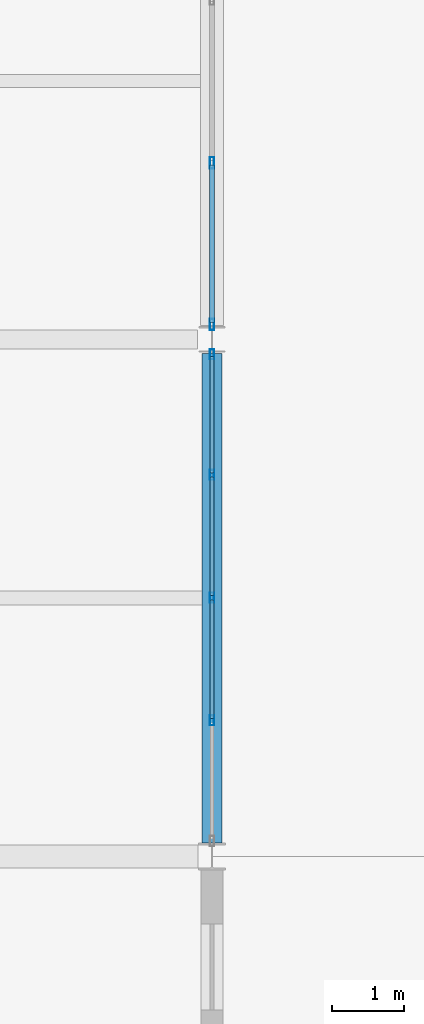
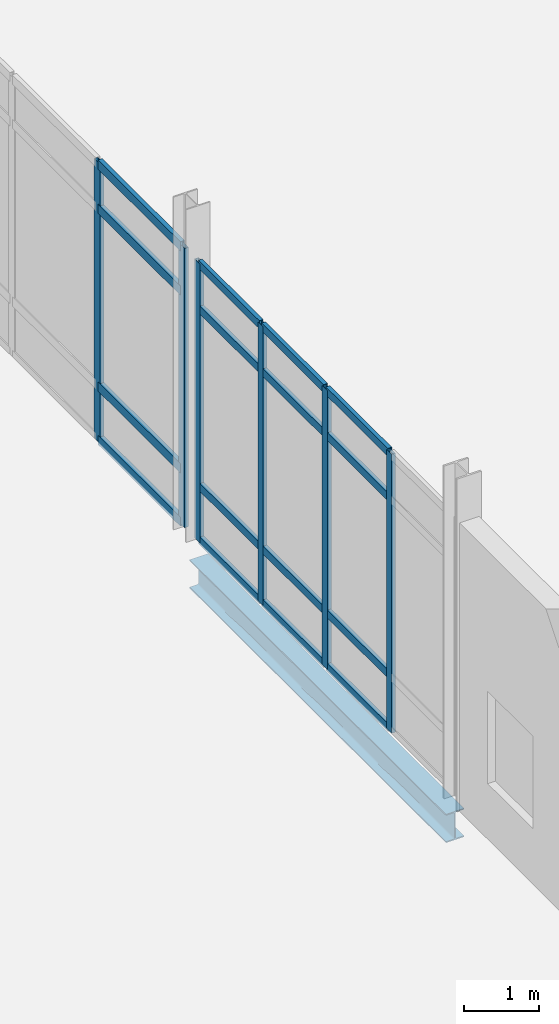
# One storey, part 103 of 229: 22 members, 1 beam, 2 elements without a shape of their own.
"""IFC4 building model written with IfcOpenShell, lengths in metres."""

from ifc_helpers import new_model, si_unit, direction, frame, origin, origin_2d, place, context, subcontext, project, spatial, hollow_rectangle, i_section, extrude, material, layer, layer_set, material_profile, profile_set, type_object, element, aggregate, save


model = new_model("IFC4")

# Units and contexts
model_context = context("Model", 3, precision=1e-05, world=origin(), true_north=direction((0.0, 1.0)))
body_context = subcontext(model_context, "Body", "Model", "MODEL_VIEW")
ifc_project = project(units=[si_unit("LENGTHUNIT", "METRE"), si_unit("AREAUNIT", "SQUARE_METRE"), si_unit("VOLUMEUNIT", "CUBIC_METRE"), si_unit("PLANEANGLEUNIT", "RADIAN"), si_unit("MASSUNIT", "GRAM", prefix="KILO")], contexts=[model_context])

# Site, building, storey
site_placement = place(None, origin())
site = spatial("IfcSite", under=ifc_project, at=site_placement, CompositionType="ELEMENT")
building_placement = place(site_placement, origin())
building = spatial("IfcBuilding", under=site, at=building_placement, Name="Calvrana Isthmian Art Gallery", CompositionType="ELEMENT")
storey_placement = place(building_placement, origin())
storey = spatial("IfcBuildingStorey", under=building, at=storey_placement, Name="L00", CompositionType="ELEMENT", Elevation=0.0)

# Beam
ifc_material_1 = material(Name="Steel ASTM A992 Gr 50", Category="steel")
ifc_material_profile_1 = material_profile(ifc_material_1, i_section(OverallWidth=0.279052734375, OverallDepth=0.4619140625, WebThickness=0.0107421875, FlangeThickness=0.017333984375, FilletRadius=0.02001953125, at=origin_2d()), Name="W18X76")
ifc_profile_set_1 = profile_set([ifc_material_profile_1], Name="Steel ASTM A992 Gr 50")
beam_type = type_object("IfcBeamType", Name="BM-G-W18X76", PredefinedType="BEAM", material=ifc_profile_set_1)
beam_placement = place(storey_placement, frame((63.60009765625, 76.990478515625, -0.51611328125), z_axis=(0.0, 1.0, 0.0), x_axis=(-1.0, 0.0, 0.0)))
element("IfcBeam", 1, at=beam_placement, inside=storey, type_object=beam_type, Name="Girder Y L00 09/K-L", PredefinedType="BEAM", context=body_context, shape_type="SweptSolid", body=[
    extrude(i_section(OverallWidth=0.279052734375, OverallDepth=0.4619140625, WebThickness=0.0107421875, FlangeThickness=0.017333984375, FilletRadius=0.02001953125, at=origin_2d()), origin(), (0.0, 0.0, 1.0), 6.81640625),
])

# Curtain wall, members
ifc_material_2 = material(Name="Anodized bronze aluminium 6063-T6", Category="aluminium")
ifc_layer = layer(ifc_material_2, 0.179931640625, Name="Anodized bronze aluminium 6063-T6")
ifc_layer_set = layer_set([ifc_layer], Name="Anodized bronze aluminium 6063-T6")
curtain_wall_type = type_object("IfcCurtainWallType", Name="CW-STICK-068X45", PredefinedType="NOTDEFINED", material=ifc_layer_set)
curtain_wall_1_placement = place(storey_placement, origin())
curtain_wall_1 = element("IfcCurtainWall", 2, at=curtain_wall_1_placement, inside=storey, type_object=curtain_wall_type, Name="Curtain wall CW-066", PredefinedType="NOTDEFINED")
ifc_material_profile_2 = material_profile(ifc_material_2, hollow_rectangle(XDim=0.06005859375, YDim=0.139892578125, WallThickness=0.00390625, at=origin_2d()), Name="CWM60X140")
ifc_profile_set_2 = profile_set([ifc_material_profile_2], Name="Anodized bronze aluminium 6063-T6")
member_type_1 = type_object("IfcMemberType", Name="CWM-CWM60X140", PredefinedType="MULLION", material=ifc_profile_set_2)
member_1_placement = place(storey_placement, frame((63.60009765625, 83.7919921875, 0.0), z_axis=(0.0, 0.0, 1.0), x_axis=(1.0, 0.0, 0.0)))
member_1 = element("IfcMember", 3, at=member_1_placement, type_object=member_type_1, Name="CW-066 mullion 1", PredefinedType="MULLION", context=body_context, shape_type="SweptSolid", body=[
    extrude(hollow_rectangle(XDim=0.06005859375, YDim=0.139892578125, WallThickness=0.00390625, at=origin_2d()), origin(), (0.0, 0.0, 1.0), 4.528076171875),
])
member_2_placement = place(storey_placement, frame((63.60009765625, 82.113037109375, 0.0), z_axis=(0.0, 0.0, 1.0), x_axis=(1.0, 0.0, 0.0)))
member_2 = element("IfcMember", 4, at=member_2_placement, type_object=member_type_1, Name="CW-066 mullion 2", PredefinedType="MULLION", context=body_context, shape_type="SweptSolid", body=[
    extrude(hollow_rectangle(XDim=0.06005859375, YDim=0.139892578125, WallThickness=0.00390625, at=origin_2d()), origin(), (0.0, 0.0, 1.0), 4.528076171875),
])
member_3_placement = place(storey_placement, frame((63.60009765625, 80.404296875, 0.0), z_axis=(0.0, 0.0, 1.0), x_axis=(1.0, 0.0, 0.0)))
member_3 = element("IfcMember", 5, at=member_3_placement, type_object=member_type_1, Name="CW-066 mullion 3", PredefinedType="MULLION", context=body_context, shape_type="SweptSolid", body=[
    extrude(hollow_rectangle(XDim=0.06005859375, YDim=0.139892578125, WallThickness=0.00390625, at=origin_2d()), origin(), (0.0, 0.0, 1.0), 4.528076171875),
])
member_4_placement = place(storey_placement, frame((63.60009765625, 78.6953125, 0.0), z_axis=(0.0, 0.0, 1.0), x_axis=(1.0, 0.0, 0.0)))
member_4 = element("IfcMember", 6, at=member_4_placement, type_object=member_type_1, Name="CW-066 mullion 4", PredefinedType="MULLION", context=body_context, shape_type="SweptSolid", body=[
    extrude(hollow_rectangle(XDim=0.06005859375, YDim=0.139892578125, WallThickness=0.00390625, at=origin_2d()), origin(), (0.0, 0.0, 1.0), 4.528076171875),
])

curtain_wall_2_placement = place(storey_placement, origin())
curtain_wall_2 = element("IfcCurtainWall", 7, at=curtain_wall_2_placement, inside=storey, type_object=curtain_wall_type, Name="Curtain wall CW-067", PredefinedType="NOTDEFINED")
ifc_material_profile_3 = material_profile(ifc_material_2, hollow_rectangle(XDim=0.06005859375, YDim=0.159912109375, WallThickness=0.00390625, at=origin_2d()), Name="CWM60X160")
ifc_profile_set_3 = profile_set([ifc_material_profile_3], Name="Anodized bronze aluminium 6063-T6")
member_type_2 = type_object("IfcMemberType", Name="CWM-CWM60X160", PredefinedType="MULLION", material=ifc_profile_set_3)
member_5_placement = place(storey_placement, frame((63.60009765625, 86.458251953125, 0.0), z_axis=(0.0, 0.0, 1.0), x_axis=(1.0, 0.0, 0.0)))
member_5 = element("IfcMember", 8, at=member_5_placement, type_object=member_type_2, Name="CW-067 mullion 3", PredefinedType="MULLION", context=body_context, shape_type="SweptSolid", body=[
    extrude(hollow_rectangle(XDim=0.06005859375, YDim=0.159912109375, WallThickness=0.00390625, at=origin_2d()), origin(), (0.0, 0.0, 1.0), 4.532958984375),
])
member_6_placement = place(storey_placement, frame((63.60009765625, 84.2080078125, 0.0), z_axis=(0.0, 0.0, 1.0), x_axis=(1.0, 0.0, 0.0)))
member_6 = element("IfcMember", 9, at=member_6_placement, type_object=member_type_2, Name="CW-067 mullion 4", PredefinedType="MULLION", context=body_context, shape_type="SweptSolid", body=[
    extrude(hollow_rectangle(XDim=0.06005859375, YDim=0.159912109375, WallThickness=0.00390625, at=origin_2d()), origin(), (0.0, 0.0, 1.0), 4.532958984375),
])

# Member
ifc_material_profile_4 = material_profile(ifc_material_2, hollow_rectangle(XDim=0.06005859375, YDim=0.1298828125, WallThickness=0.00390625, at=origin_2d()), Name="CWT60X130")
ifc_profile_set_4 = profile_set([ifc_material_profile_4], Name="Anodized bronze aluminium 6063-T6")
member_type_3 = type_object("IfcMemberType", Name="CWT-CWT60X130", PredefinedType="USERDEFINED", material=ifc_profile_set_4)
member_7_placement = place(storey_placement, frame((63.60009765625, 83.761962890625, 0.030029296875), z_axis=(0.0, -1.0, 0.0), x_axis=(1.0, 0.0, 0.0)))
member_7 = element("IfcMember", 10, at=member_7_placement, type_object=member_type_3, Name="CW-066 transom 1.1", ObjectType="TRANSOM", PredefinedType="USERDEFINED", context=body_context, shape_type="SweptSolid", body=[
    extrude(hollow_rectangle(XDim=0.06005859375, YDim=0.1298828125, WallThickness=0.00390625, at=origin_2d()), origin(), (0.0, 0.0, 1.0), 1.618896484375),
])

member_8_placement = place(storey_placement, frame((63.60009765625, 83.761962890625, 0.89990234375), z_axis=(0.0, -1.0, 0.0), x_axis=(1.0, 0.0, 0.0)))
member_8 = element("IfcMember", 11, at=member_8_placement, type_object=member_type_3, Name="CW-066 transom 1.2", ObjectType="TRANSOM", PredefinedType="USERDEFINED", context=body_context, shape_type="SweptSolid", body=[
    extrude(hollow_rectangle(XDim=0.06005859375, YDim=0.1298828125, WallThickness=0.00390625, at=origin_2d()), origin(), (0.0, 0.0, 1.0), 1.618896484375),
])

member_9_placement = place(storey_placement, frame((63.60009765625, 83.761962890625, 3.778076171875), z_axis=(0.0, -1.0, 0.0), x_axis=(1.0, 0.0, 0.0)))
member_9 = element("IfcMember", 12, at=member_9_placement, type_object=member_type_3, Name="CW-066 transom 1.3", ObjectType="TRANSOM", PredefinedType="USERDEFINED", context=body_context, shape_type="SweptSolid", body=[
    extrude(hollow_rectangle(XDim=0.06005859375, YDim=0.1298828125, WallThickness=0.00390625, at=origin_2d()), origin(), (0.0, 0.0, 1.0), 1.618896484375),
])

member_10_placement = place(storey_placement, frame((63.60009765625, 83.761962890625, 4.498046875), z_axis=(0.0, -1.0, 0.0), x_axis=(1.0, 0.0, 0.0)))
member_10 = element("IfcMember", 13, at=member_10_placement, type_object=member_type_3, Name="CW-066 transom 1.4", ObjectType="TRANSOM", PredefinedType="USERDEFINED", context=body_context, shape_type="SweptSolid", body=[
    extrude(hollow_rectangle(XDim=0.06005859375, YDim=0.1298828125, WallThickness=0.00390625, at=origin_2d()), origin(), (0.0, 0.0, 1.0), 1.618896484375),
])

member_11_placement = place(storey_placement, frame((63.60009765625, 82.0830078125, 0.030029296875), z_axis=(0.0, -1.0, 0.0), x_axis=(1.0, 0.0, 0.0)))
member_11 = element("IfcMember", 14, at=member_11_placement, type_object=member_type_3, Name="CW-066 transom 2.1", ObjectType="TRANSOM", PredefinedType="USERDEFINED", context=body_context, shape_type="SweptSolid", body=[
    extrude(hollow_rectangle(XDim=0.06005859375, YDim=0.1298828125, WallThickness=0.00390625, at=origin_2d()), origin(), (0.0, 0.0, 1.0), 1.648681640625),
])

member_12_placement = place(storey_placement, frame((63.60009765625, 82.0830078125, 0.89990234375), z_axis=(0.0, -1.0, 0.0), x_axis=(1.0, 0.0, 0.0)))
member_12 = element("IfcMember", 15, at=member_12_placement, type_object=member_type_3, Name="CW-066 transom 2.2", ObjectType="TRANSOM", PredefinedType="USERDEFINED", context=body_context, shape_type="SweptSolid", body=[
    extrude(hollow_rectangle(XDim=0.06005859375, YDim=0.1298828125, WallThickness=0.00390625, at=origin_2d()), origin(), (0.0, 0.0, 1.0), 1.648681640625),
])

member_13_placement = place(storey_placement, frame((63.60009765625, 82.0830078125, 3.778076171875), z_axis=(0.0, -1.0, 0.0), x_axis=(1.0, 0.0, 0.0)))
member_13 = element("IfcMember", 16, at=member_13_placement, type_object=member_type_3, Name="CW-066 transom 2.3", ObjectType="TRANSOM", PredefinedType="USERDEFINED", context=body_context, shape_type="SweptSolid", body=[
    extrude(hollow_rectangle(XDim=0.06005859375, YDim=0.1298828125, WallThickness=0.00390625, at=origin_2d()), origin(), (0.0, 0.0, 1.0), 1.648681640625),
])

member_14_placement = place(storey_placement, frame((63.60009765625, 82.0830078125, 4.498046875), z_axis=(0.0, -1.0, 0.0), x_axis=(1.0, 0.0, 0.0)))
member_14 = element("IfcMember", 17, at=member_14_placement, type_object=member_type_3, Name="CW-066 transom 2.4", ObjectType="TRANSOM", PredefinedType="USERDEFINED", context=body_context, shape_type="SweptSolid", body=[
    extrude(hollow_rectangle(XDim=0.06005859375, YDim=0.1298828125, WallThickness=0.00390625, at=origin_2d()), origin(), (0.0, 0.0, 1.0), 1.648681640625),
])

member_15_placement = place(storey_placement, frame((63.60009765625, 80.374267578125, 0.030029296875), z_axis=(0.0, -1.0, 0.0), x_axis=(1.0, 0.0, 0.0)))
member_15 = element("IfcMember", 18, at=member_15_placement, type_object=member_type_3, Name="CW-066 transom 3.1", ObjectType="TRANSOM", PredefinedType="USERDEFINED", context=body_context, shape_type="SweptSolid", body=[
    extrude(hollow_rectangle(XDim=0.06005859375, YDim=0.1298828125, WallThickness=0.00390625, at=origin_2d()), origin(), (0.0, 0.0, 1.0), 1.64892578125),
])

member_16_placement = place(storey_placement, frame((63.60009765625, 80.374267578125, 0.89990234375), z_axis=(0.0, -1.0, 0.0), x_axis=(1.0, 0.0, 0.0)))
member_16 = element("IfcMember", 19, at=member_16_placement, type_object=member_type_3, Name="CW-066 transom 3.2", ObjectType="TRANSOM", PredefinedType="USERDEFINED", context=body_context, shape_type="SweptSolid", body=[
    extrude(hollow_rectangle(XDim=0.06005859375, YDim=0.1298828125, WallThickness=0.00390625, at=origin_2d()), origin(), (0.0, 0.0, 1.0), 1.64892578125),
])

member_17_placement = place(storey_placement, frame((63.60009765625, 80.374267578125, 3.778076171875), z_axis=(0.0, -1.0, 0.0), x_axis=(1.0, 0.0, 0.0)))
member_17 = element("IfcMember", 20, at=member_17_placement, type_object=member_type_3, Name="CW-066 transom 3.3", ObjectType="TRANSOM", PredefinedType="USERDEFINED", context=body_context, shape_type="SweptSolid", body=[
    extrude(hollow_rectangle(XDim=0.06005859375, YDim=0.1298828125, WallThickness=0.00390625, at=origin_2d()), origin(), (0.0, 0.0, 1.0), 1.64892578125),
])

member_18_placement = place(storey_placement, frame((63.60009765625, 80.374267578125, 4.498046875), z_axis=(0.0, -1.0, 0.0), x_axis=(1.0, 0.0, 0.0)))
member_18 = element("IfcMember", 21, at=member_18_placement, type_object=member_type_3, Name="CW-066 transom 3.4", ObjectType="TRANSOM", PredefinedType="USERDEFINED", context=body_context, shape_type="SweptSolid", body=[
    extrude(hollow_rectangle(XDim=0.06005859375, YDim=0.1298828125, WallThickness=0.00390625, at=origin_2d()), origin(), (0.0, 0.0, 1.0), 1.64892578125),
])

aggregate(curtain_wall_1, [member_1, member_2, member_3, member_4, member_7, member_8, member_9, member_10, member_11, member_12, member_13, member_14, member_15, member_16, member_17, member_18])

ifc_material_profile_5 = material_profile(ifc_material_2, hollow_rectangle(XDim=0.06494140625, YDim=0.14990234375, WallThickness=0.00390625, at=origin_2d()), Name="CWT65X150")
ifc_profile_set_5 = profile_set([ifc_material_profile_5], Name="Anodized bronze aluminium 6063-T6")
member_type_4 = type_object("IfcMemberType", Name="CWT-CWT65X150", PredefinedType="USERDEFINED", material=ifc_profile_set_5)
member_19_placement = place(storey_placement, frame((63.60009765625, 86.42822265625, 0.032470703125), z_axis=(0.0, -1.0, 0.0), x_axis=(1.0, 0.0, 0.0)))
member_19 = element("IfcMember", 22, at=member_19_placement, type_object=member_type_4, Name="CW-067 transom 3.1", ObjectType="TRANSOM", PredefinedType="USERDEFINED", context=body_context, shape_type="SweptSolid", body=[
    extrude(hollow_rectangle(XDim=0.06494140625, YDim=0.14990234375, WallThickness=0.00390625, at=origin_2d()), origin(), (0.0, 0.0, 1.0), 2.190185546875),
])

member_20_placement = place(storey_placement, frame((63.60009765625, 86.42822265625, 0.89990234375), z_axis=(0.0, -1.0, 0.0), x_axis=(1.0, 0.0, 0.0)))
member_20 = element("IfcMember", 23, at=member_20_placement, type_object=member_type_4, Name="CW-067 transom 3.2", ObjectType="TRANSOM", PredefinedType="USERDEFINED", context=body_context, shape_type="SweptSolid", body=[
    extrude(hollow_rectangle(XDim=0.06494140625, YDim=0.14990234375, WallThickness=0.00390625, at=origin_2d()), origin(), (0.0, 0.0, 1.0), 2.190185546875),
])

member_21_placement = place(storey_placement, frame((63.60009765625, 86.42822265625, 3.782958984375), z_axis=(0.0, -1.0, 0.0), x_axis=(1.0, 0.0, 0.0)))
member_21 = element("IfcMember", 24, at=member_21_placement, type_object=member_type_4, Name="CW-067 transom 3.3", ObjectType="TRANSOM", PredefinedType="USERDEFINED", context=body_context, shape_type="SweptSolid", body=[
    extrude(hollow_rectangle(XDim=0.06494140625, YDim=0.14990234375, WallThickness=0.00390625, at=origin_2d()), origin(), (0.0, 0.0, 1.0), 2.190185546875),
])

member_22_placement = place(storey_placement, frame((63.60009765625, 86.42822265625, 4.50048828125), z_axis=(0.0, -1.0, 0.0), x_axis=(1.0, 0.0, 0.0)))
member_22 = element("IfcMember", 25, at=member_22_placement, type_object=member_type_4, Name="CW-067 transom 3.4", ObjectType="TRANSOM", PredefinedType="USERDEFINED", context=body_context, shape_type="SweptSolid", body=[
    extrude(hollow_rectangle(XDim=0.06494140625, YDim=0.14990234375, WallThickness=0.00390625, at=origin_2d()), origin(), (0.0, 0.0, 1.0), 2.190185546875),
])

aggregate(curtain_wall_2, [member_5, member_6, member_19, member_20, member_21, member_22])

save(model, "model.ifc")
